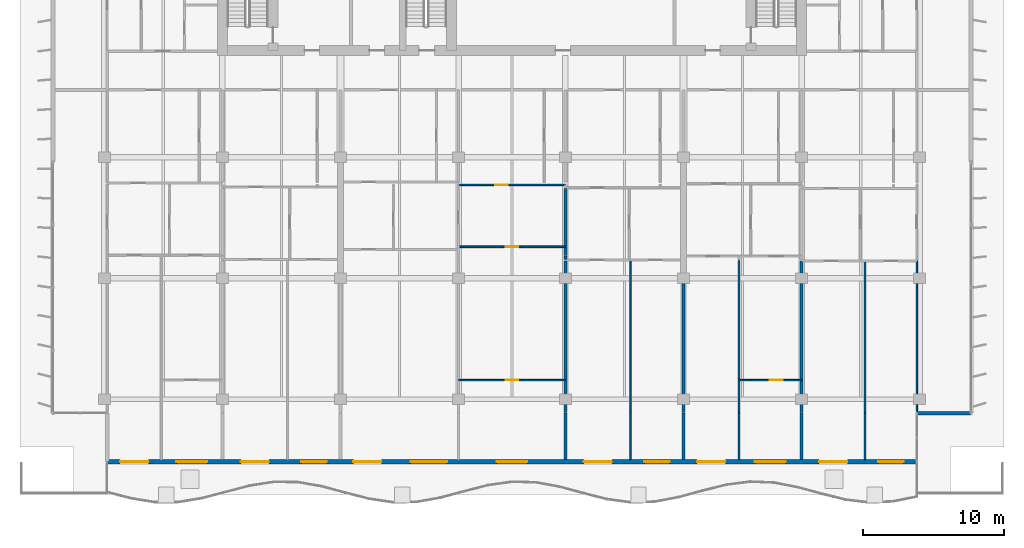
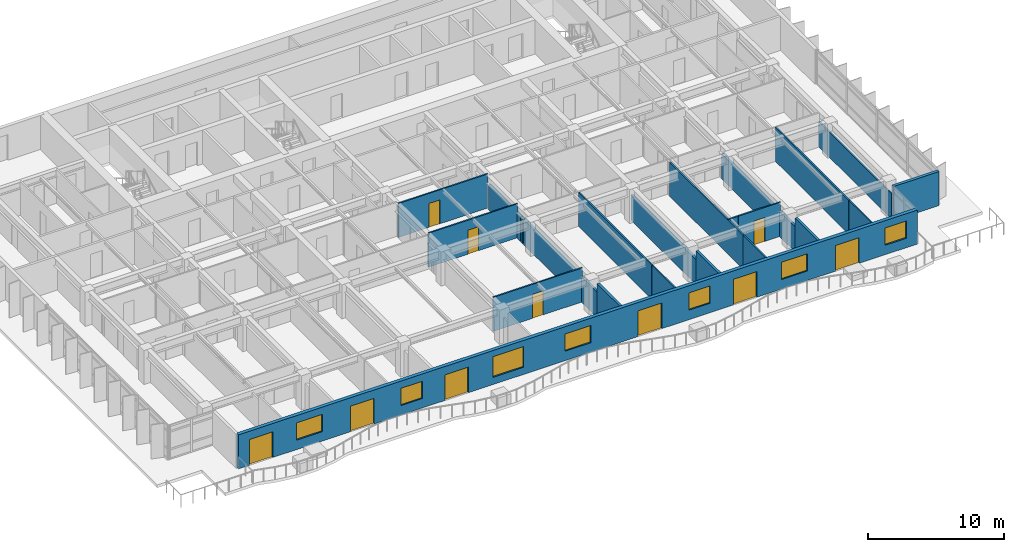
# One storey, part 9 of 17: 22 walls, 10 doors, 7 windows, 17 openings.
"""IFC4 building model written with IfcOpenShell, lengths in metres."""

from ifc_helpers import new_model, si_unit, direction, frame, frame_2d, origin, place, context, subcontext, project, spatial, rectangle, extrude, material, layer, layer_set, type_object, element, fill, save


model = new_model("IFC4")

# Units and contexts
model_context = context("Model", 3, precision=1e-05, world=origin(), true_north=direction((0.0, 1.0)))
body_context = subcontext(model_context, "Body", "Model", "MODEL_VIEW")
ifc_project = project(units=[si_unit("LENGTHUNIT", "METRE"), si_unit("AREAUNIT", "SQUARE_METRE"), si_unit("VOLUMEUNIT", "CUBIC_METRE"), si_unit("PLANEANGLEUNIT", "RADIAN"), si_unit("MASSUNIT", "GRAM", prefix="KILO")], contexts=[model_context])

# Site, building, storey
site_placement = place(None, origin())
site = spatial("IfcSite", under=ifc_project, at=site_placement, CompositionType="ELEMENT")
building_placement = place(site_placement, origin())
building = spatial("IfcBuilding", under=site, at=building_placement, Name="Caelmar Bay Residences", CompositionType="ELEMENT")
storey_placement = place(building_placement, frame((0.0, 0.0, 157.199951171875)))
storey = spatial("IfcBuildingStorey", under=building, at=storey_placement, Name="L43", CompositionType="ELEMENT", Elevation=157.199951171875)

# Wall
ifc_material_1 = material(Name="Precast concrete f'c 40 MPa (6,000 psi)", Category="concrete")
ifc_layer_1 = layer(ifc_material_1, 0.25)
ifc_layer_set_1 = layer_set([ifc_layer_1], Name="Precast concrete f'c 40 MPa (6,000 psi)")
wall_type_1 = type_object("IfcWallType", Name="W-EXT-250", PredefinedType="ELEMENTEDWALL", material=ifc_layer_set_1)
wall_1_placement = place(storey_placement, frame((67.699951171875, 11.199951171875, 0.0), z_axis=(0.0, 0.0, 1.0), x_axis=(1.0, 0.0, 0.0)))
element("IfcWall", 1, at=wall_1_placement, inside=storey, type_object=wall_type_1, Name="L43 SE Notch Return Wall", PredefinedType="ELEMENTEDWALL", context=body_context, shape_type="SweptSolid", body=[
    extrude(rectangle(XDim=3.85009765625, YDim=0.25, at=frame_2d((1.925048828125, 0.0))), origin(), (0.0, 0.0, 1.0), 3.050048828125),
])

# Wall, openings, doors, windows
ifc_layer_2 = layer(ifc_material_1, 0.300048828125)
ifc_layer_set_2 = layer_set([ifc_layer_2], Name="Precast concrete f'c 40 MPa (6,000 psi)")
wall_type_2 = type_object("IfcWallType", Name="W-EXT-300", PredefinedType="STANDARD", material=ifc_layer_set_2)
wall_2_placement = place(storey_placement, frame((67.699951171875, 7.75, 0.0), z_axis=(0.0, 0.0, 1.0), x_axis=(-1.0, 0.0, 0.0)))
wall_2 = element("IfcWall", 2, at=wall_2_placement, inside=storey, type_object=wall_type_2, Name="L43 South Bayfront Exterior Wall", PredefinedType="STANDARD", context=body_context, shape_type="SweptSolid", body=[
    extrude(rectangle(XDim=57.599853515625, YDim=0.300048828125, at=frame_2d((28.7998046875, 0.0))), origin(), (0.0, 0.0, 1.0), 3.050048828125),
])
opening_1_placement = place(wall_2_placement, frame((54.673095703125, 0.0, 0.0)))
opening_1 = element("IfcOpeningElement", 3, at=opening_1_placement, cuts=wall_2, Name="Opening L43-BD01", PredefinedType="OPENING", context=body_context, shape_type="SweptSolid", body=[
    extrude(rectangle(XDim=2.0, YDim=2.300048828125, at=frame_2d((1.0, 1.14990234375))), frame((0.0, 0.159912109375, 0.0), z_axis=(0.0, -1.0, 0.0), x_axis=(1.0, 0.0, 0.0)), (0.0, 0.0, 1.0), 0.320068359375),
])
opening_2_placement = place(wall_2_placement, frame((50.472900390625, 0.0, 0.85009765625)))
opening_2 = element("IfcOpeningElement", 4, at=opening_2_placement, cuts=wall_2, Name="Opening WN2", PredefinedType="OPENING", context=body_context, shape_type="SweptSolid", body=[
    extrude(rectangle(XDim=2.199951171875, YDim=1.550048828125, at=frame_2d((1.10009765625, 0.77490234375))), frame((0.0, 0.159912109375, 0.0), z_axis=(0.0, -1.0, 0.0), x_axis=(1.0, 0.0, 0.0)), (0.0, 0.0, 1.0), 0.320068359375),
])
opening_3_placement = place(wall_2_placement, frame((46.090087890625, 0.0, 0.0)))
opening_3 = element("IfcOpeningElement", 5, at=opening_3_placement, cuts=wall_2, Name="Opening L43-BD02", PredefinedType="OPENING", context=body_context, shape_type="SweptSolid", body=[
    extrude(rectangle(XDim=2.0, YDim=2.300048828125, at=frame_2d((1.0, 1.14990234375))), frame((0.0, 0.159912109375, 0.0), z_axis=(0.0, -1.0, 0.0), x_axis=(1.0, 0.0, 0.0)), (0.0, 0.0, 1.0), 0.320068359375),
])
opening_4_placement = place(wall_2_placement, frame((41.989990234375, 0.0, 0.85009765625)))
opening_4 = element("IfcOpeningElement", 6, at=opening_4_placement, cuts=wall_2, Name="Opening WN1", PredefinedType="OPENING", context=body_context, shape_type="SweptSolid", body=[
    extrude(rectangle(XDim=1.800048828125, YDim=1.550048828125, at=frame_2d((0.89990234375, 0.77490234375))), frame((0.0, 0.159912109375, 0.0), z_axis=(0.0, -1.0, 0.0), x_axis=(1.0, 0.0, 0.0)), (0.0, 0.0, 1.0), 0.320068359375),
])
opening_5_placement = place(wall_2_placement, frame((38.090087890625, 0.0, 0.0)))
opening_5 = element("IfcOpeningElement", 7, at=opening_5_placement, cuts=wall_2, Name="Opening L43-BD03", PredefinedType="OPENING", context=body_context, shape_type="SweptSolid", body=[
    extrude(rectangle(XDim=2.0, YDim=2.300048828125, at=frame_2d((1.0, 1.14990234375))), frame((0.0, 0.159912109375, 0.0), z_axis=(0.0, -1.0, 0.0), x_axis=(1.0, 0.0, 0.0)), (0.0, 0.0, 1.0), 0.320068359375),
])
opening_6_placement = place(wall_2_placement, frame((33.409912109375, 0.0, 0.64990234375)))
opening_6 = element("IfcOpeningElement", 8, at=opening_6_placement, cuts=wall_2, Name="Opening WN3", PredefinedType="OPENING", context=body_context, shape_type="SweptSolid", body=[
    extrude(rectangle(XDim=2.60009765625, YDim=1.85009765625, at=frame_2d((1.300048828125, 0.925048828125))), frame((0.0, 0.159912109375, 0.0), z_axis=(0.0, -1.0, 0.0), x_axis=(1.0, 0.0, 0.0)), (0.0, 0.0, 1.0), 0.320068359375),
])
opening_7_placement = place(wall_2_placement, frame((27.699951171875, 0.0, 0.85009765625)))
opening_7 = element("IfcOpeningElement", 9, at=opening_7_placement, cuts=wall_2, Name="Opening WN2", PredefinedType="OPENING", context=body_context, shape_type="SweptSolid", body=[
    extrude(rectangle(XDim=2.199951171875, YDim=1.550048828125, at=frame_2d((1.10009765625, 0.77490234375))), frame((0.0, 0.159912109375, 0.0), z_axis=(0.0, -1.0, 0.0), x_axis=(1.0, 0.0, 0.0)), (0.0, 0.0, 1.0), 0.320068359375),
])
opening_8_placement = place(wall_2_placement, frame((21.68994140625, 0.0, 0.0)))
opening_8 = element("IfcOpeningElement", 10, at=opening_8_placement, cuts=wall_2, Name="Opening L43-BD04", PredefinedType="OPENING", context=body_context, shape_type="SweptSolid", body=[
    extrude(rectangle(XDim=2.0, YDim=2.300048828125, at=frame_2d((1.0, 1.14990234375))), frame((0.0, 0.159912109375, 0.0), z_axis=(0.0, -1.0, 0.0), x_axis=(1.0, 0.0, 0.0)), (0.0, 0.0, 1.0), 0.320068359375),
])
opening_9_placement = place(wall_2_placement, frame((17.590087890625, 0.0, 0.85009765625)))
opening_9 = element("IfcOpeningElement", 11, at=opening_9_placement, cuts=wall_2, Name="Opening WN1", PredefinedType="OPENING", context=body_context, shape_type="SweptSolid", body=[
    extrude(rectangle(XDim=1.800048828125, YDim=1.550048828125, at=frame_2d((0.89990234375, 0.77490234375))), frame((0.0, 0.159912109375, 0.0), z_axis=(0.0, -1.0, 0.0), x_axis=(1.0, 0.0, 0.0)), (0.0, 0.0, 1.0), 0.320068359375),
])
opening_10_placement = place(wall_2_placement, frame((13.6259765625, 0.0, 0.0)))
opening_10 = element("IfcOpeningElement", 12, at=opening_10_placement, cuts=wall_2, Name="Opening L43-BD05", PredefinedType="OPENING", context=body_context, shape_type="SweptSolid", body=[
    extrude(rectangle(XDim=2.0, YDim=2.300048828125, at=frame_2d((1.0, 1.14990234375))), frame((0.0, 0.159912109375, 0.0), z_axis=(0.0, -1.0, 0.0), x_axis=(1.0, 0.0, 0.0)), (0.0, 0.0, 1.0), 0.320068359375),
])
opening_11_placement = place(wall_2_placement, frame((9.325927734375, 0.0, 0.85009765625)))
opening_11 = element("IfcOpeningElement", 13, at=opening_11_placement, cuts=wall_2, Name="Opening WN2", PredefinedType="OPENING", context=body_context, shape_type="SweptSolid", body=[
    extrude(rectangle(XDim=2.199951171875, YDim=1.550048828125, at=frame_2d((1.10009765625, 0.77490234375))), frame((0.0, 0.159912109375, 0.0), z_axis=(0.0, -1.0, 0.0), x_axis=(1.0, 0.0, 0.0)), (0.0, 0.0, 1.0), 0.320068359375),
])
opening_12_placement = place(wall_2_placement, frame((4.945068359375, 0.0, 0.0)))
opening_12 = element("IfcOpeningElement", 14, at=opening_12_placement, cuts=wall_2, Name="Opening L43-BD06", PredefinedType="OPENING", context=body_context, shape_type="SweptSolid", body=[
    extrude(rectangle(XDim=2.0, YDim=2.300048828125, at=frame_2d((1.0, 1.14990234375))), frame((0.0, 0.159912109375, 0.0), z_axis=(0.0, -1.0, 0.0), x_axis=(1.0, 0.0, 0.0)), (0.0, 0.0, 1.0), 0.320068359375),
])
opening_13_placement = place(wall_2_placement, frame((0.945068359375, 0.0, 0.85009765625)))
opening_13 = element("IfcOpeningElement", 15, at=opening_13_placement, cuts=wall_2, Name="Opening WN1", PredefinedType="OPENING", context=body_context, shape_type="SweptSolid", body=[
    extrude(rectangle(XDim=1.800048828125, YDim=1.550048828125, at=frame_2d((0.89990234375, 0.77490234375))), frame((0.0, 0.159912109375, 0.0), z_axis=(0.0, -1.0, 0.0), x_axis=(1.0, 0.0, 0.0)), (0.0, 0.0, 1.0), 0.320068359375),
])
ifc_material_2 = material(Name="Anodised bronze thermally broken sliding glass door", Category="glass")
ifc_layer_3 = layer(ifc_material_2, 0.050048828125)
ifc_layer_set_3 = layer_set([ifc_layer_3], Name="Anodised bronze thermally broken sliding glass door")
door_type_1 = type_object("IfcDoorType", Name="D-BAL-2000", OperationType="DOUBLE_DOOR_SLIDING", PredefinedType="DOOR", material=ifc_layer_set_3)
door_1_placement = place(opening_1_placement, origin())
door_1 = element("IfcDoor", 16, at=door_1_placement, inside=storey, type_object=door_type_1, Name="L43 Residence 01 Living Room Balcony Door", OperationType="DOUBLE_DOOR_SLIDING", OverallHeight=2.300048828125, OverallWidth=2.0, PredefinedType="DOOR", context=body_context, shape_type="SweptSolid", body=[
    extrude(rectangle(XDim=2.0, YDim=2.300048828125, at=frame_2d((1.0, 1.14990234375))), frame((0.0, 0.02490234375, 0.0), z_axis=(0.0, -1.0, 0.0), x_axis=(1.0, 0.0, 0.0)), (0.0, 0.0, 1.0), 0.050048828125),
])
fill(opening_1, door_1)
door_2_placement = place(opening_3_placement, origin())
door_2 = element("IfcDoor", 17, at=door_2_placement, inside=storey, type_object=door_type_1, Name="L43 Residence 02 Living Room Balcony Door", OperationType="DOUBLE_DOOR_SLIDING", OverallHeight=2.300048828125, OverallWidth=2.0, PredefinedType="DOOR", context=body_context, shape_type="SweptSolid", body=[
    extrude(rectangle(XDim=2.0, YDim=2.300048828125, at=frame_2d((1.0, 1.14990234375))), frame((0.0, 0.02490234375, 0.0), z_axis=(0.0, -1.0, 0.0), x_axis=(1.0, 0.0, 0.0)), (0.0, 0.0, 1.0), 0.050048828125),
])
fill(opening_3, door_2)
door_3_placement = place(opening_5_placement, origin())
door_3 = element("IfcDoor", 18, at=door_3_placement, inside=storey, type_object=door_type_1, Name="L43 Residence 03 Penthouse Living Salon Balcony Door", OperationType="DOUBLE_DOOR_SLIDING", OverallHeight=2.300048828125, OverallWidth=2.0, PredefinedType="DOOR", context=body_context, shape_type="SweptSolid", body=[
    extrude(rectangle(XDim=2.0, YDim=2.300048828125, at=frame_2d((1.0, 1.14990234375))), frame((0.0, 0.02490234375, 0.0), z_axis=(0.0, -1.0, 0.0), x_axis=(1.0, 0.0, 0.0)), (0.0, 0.0, 1.0), 0.050048828125),
])
fill(opening_5, door_3)
door_4_placement = place(opening_8_placement, origin())
door_4 = element("IfcDoor", 19, at=door_4_placement, inside=storey, type_object=door_type_1, Name="L43 Residence 04 Living Room Balcony Door", OperationType="DOUBLE_DOOR_SLIDING", OverallHeight=2.300048828125, OverallWidth=2.0, PredefinedType="DOOR", context=body_context, shape_type="SweptSolid", body=[
    extrude(rectangle(XDim=2.0, YDim=2.300048828125, at=frame_2d((1.0, 1.14990234375))), frame((0.0, 0.02490234375, 0.0), z_axis=(0.0, -1.0, 0.0), x_axis=(1.0, 0.0, 0.0)), (0.0, 0.0, 1.0), 0.050048828125),
])
fill(opening_8, door_4)
door_5_placement = place(opening_10_placement, origin())
door_5 = element("IfcDoor", 20, at=door_5_placement, inside=storey, type_object=door_type_1, Name="L43 Residence 05 Living Room Balcony Door", OperationType="DOUBLE_DOOR_SLIDING", OverallHeight=2.300048828125, OverallWidth=2.0, PredefinedType="DOOR", context=body_context, shape_type="SweptSolid", body=[
    extrude(rectangle(XDim=2.0, YDim=2.300048828125, at=frame_2d((1.0, 1.14990234375))), frame((0.0, 0.02490234375, 0.0), z_axis=(0.0, -1.0, 0.0), x_axis=(1.0, 0.0, 0.0)), (0.0, 0.0, 1.0), 0.050048828125),
])
fill(opening_10, door_5)
door_6_placement = place(opening_12_placement, origin())
door_6 = element("IfcDoor", 21, at=door_6_placement, inside=storey, type_object=door_type_1, Name="L43 Residence 06 Living Room Balcony Door", OperationType="DOUBLE_DOOR_SLIDING", OverallHeight=2.300048828125, OverallWidth=2.0, PredefinedType="DOOR", context=body_context, shape_type="SweptSolid", body=[
    extrude(rectangle(XDim=2.0, YDim=2.300048828125, at=frame_2d((1.0, 1.14990234375))), frame((0.0, 0.02490234375, 0.0), z_axis=(0.0, -1.0, 0.0), x_axis=(1.0, 0.0, 0.0)), (0.0, 0.0, 1.0), 0.050048828125),
])
fill(opening_12, door_6)
ifc_material_3 = material(Name="Bronze aluminium frame with laminated low-E glass", Category="aluminium")
ifc_layer_4 = layer(ifc_material_3, 0.06005859375)
ifc_layer_set_4 = layer_set([ifc_layer_4], Name="Bronze aluminium frame with laminated low-E glass")
window_type_1 = type_object("IfcWindowType", Name="WIN-BR-1800", PartitioningType="SINGLE_PANEL", PredefinedType="WINDOW", material=ifc_layer_set_4)
window_1_placement = place(opening_4_placement, origin())
window_1 = element("IfcWindow", 22, at=window_1_placement, inside=storey, type_object=window_type_1, Name="L43 Residence 02 Primary Bedroom Window", OverallHeight=1.550048828125, OverallWidth=1.800048828125, PartitioningType="SINGLE_PANEL", PredefinedType="WINDOW", context=body_context, shape_type="SweptSolid", body=[
    extrude(rectangle(XDim=1.800048828125, YDim=1.550048828125, at=frame_2d((0.89990234375, 0.77490234375))), frame((0.0, 0.030029296875, 0.0), z_axis=(0.0, -1.0, 0.0), x_axis=(1.0, 0.0, 0.0)), (0.0, 0.0, 1.0), 0.06005859375),
])
fill(opening_4, window_1)
window_2_placement = place(opening_9_placement, origin())
window_2 = element("IfcWindow", 23, at=window_2_placement, inside=storey, type_object=window_type_1, Name="L43 Residence 04 Primary Bedroom Window", OverallHeight=1.550048828125, OverallWidth=1.800048828125, PartitioningType="SINGLE_PANEL", PredefinedType="WINDOW", context=body_context, shape_type="SweptSolid", body=[
    extrude(rectangle(XDim=1.800048828125, YDim=1.550048828125, at=frame_2d((0.89990234375, 0.77490234375))), frame((0.0, 0.030029296875, 0.0), z_axis=(0.0, -1.0, 0.0), x_axis=(1.0, 0.0, 0.0)), (0.0, 0.0, 1.0), 0.06005859375),
])
fill(opening_9, window_2)
window_3_placement = place(opening_13_placement, origin())
window_3 = element("IfcWindow", 24, at=window_3_placement, inside=storey, type_object=window_type_1, Name="L43 Residence 06 Primary Bedroom Window", OverallHeight=1.550048828125, OverallWidth=1.800048828125, PartitioningType="SINGLE_PANEL", PredefinedType="WINDOW", context=body_context, shape_type="SweptSolid", body=[
    extrude(rectangle(XDim=1.800048828125, YDim=1.550048828125, at=frame_2d((0.89990234375, 0.77490234375))), frame((0.0, 0.030029296875, 0.0), z_axis=(0.0, -1.0, 0.0), x_axis=(1.0, 0.0, 0.0)), (0.0, 0.0, 1.0), 0.06005859375),
])
fill(opening_13, window_3)
ifc_layer_5 = layer(ifc_material_3, 0.06005859375)
ifc_layer_set_5 = layer_set([ifc_layer_5], Name="Bronze aluminium frame with laminated low-E glass")
window_type_2 = type_object("IfcWindowType", Name="WIN-BR-2200", PartitioningType="SINGLE_PANEL", PredefinedType="WINDOW", material=ifc_layer_set_5)
window_4_placement = place(opening_2_placement, origin())
window_4 = element("IfcWindow", 25, at=window_4_placement, inside=storey, type_object=window_type_2, Name="L43 Residence 01 Primary Bedroom Window", OverallHeight=1.550048828125, OverallWidth=2.199951171875, PartitioningType="SINGLE_PANEL", PredefinedType="WINDOW", context=body_context, shape_type="SweptSolid", body=[
    extrude(rectangle(XDim=2.199951171875, YDim=1.550048828125, at=frame_2d((1.10009765625, 0.77490234375))), frame((0.0, 0.030029296875, 0.0), z_axis=(0.0, -1.0, 0.0), x_axis=(1.0, 0.0, 0.0)), (0.0, 0.0, 1.0), 0.06005859375),
])
fill(opening_2, window_4)
window_5_placement = place(opening_7_placement, origin())
window_5 = element("IfcWindow", 26, at=window_5_placement, inside=storey, type_object=window_type_2, Name="L43 Residence 03 Primary Bedroom 1 Window", OverallHeight=1.550048828125, OverallWidth=2.199951171875, PartitioningType="SINGLE_PANEL", PredefinedType="WINDOW", context=body_context, shape_type="SweptSolid", body=[
    extrude(rectangle(XDim=2.199951171875, YDim=1.550048828125, at=frame_2d((1.10009765625, 0.77490234375))), frame((0.0, 0.030029296875, 0.0), z_axis=(0.0, -1.0, 0.0), x_axis=(1.0, 0.0, 0.0)), (0.0, 0.0, 1.0), 0.06005859375),
])
fill(opening_7, window_5)
window_6_placement = place(opening_11_placement, origin())
window_6 = element("IfcWindow", 27, at=window_6_placement, inside=storey, type_object=window_type_2, Name="L43 Residence 05 Primary Bedroom Window", OverallHeight=1.550048828125, OverallWidth=2.199951171875, PartitioningType="SINGLE_PANEL", PredefinedType="WINDOW", context=body_context, shape_type="SweptSolid", body=[
    extrude(rectangle(XDim=2.199951171875, YDim=1.550048828125, at=frame_2d((1.10009765625, 0.77490234375))), frame((0.0, 0.030029296875, 0.0), z_axis=(0.0, -1.0, 0.0), x_axis=(1.0, 0.0, 0.0)), (0.0, 0.0, 1.0), 0.06005859375),
])
fill(opening_11, window_6)
ifc_layer_6 = layer(ifc_material_3, 0.06005859375)
ifc_layer_set_6 = layer_set([ifc_layer_6], Name="Bronze aluminium frame with laminated low-E glass")
window_type_3 = type_object("IfcWindowType", Name="WIN-LIV-2600", PartitioningType="SINGLE_PANEL", PredefinedType="WINDOW", material=ifc_layer_set_6)
window_7_placement = place(opening_6_placement, origin())
window_7 = element("IfcWindow", 28, at=window_7_placement, inside=storey, type_object=window_type_3, Name="L43 Residence 03 Penthouse Living Salon Panoramic Window", OverallHeight=1.85009765625, OverallWidth=2.60009765625, PartitioningType="SINGLE_PANEL", PredefinedType="WINDOW", context=body_context, shape_type="SweptSolid", body=[
    extrude(rectangle(XDim=2.60009765625, YDim=1.85009765625, at=frame_2d((1.300048828125, 0.925048828125))), frame((0.0, 0.030029296875, 0.0), z_axis=(0.0, -1.0, 0.0), x_axis=(1.0, 0.0, 0.0)), (0.0, 0.0, 1.0), 0.06005859375),
])
fill(opening_6, window_7)

# Walls
ifc_material_4 = material(Name="Acoustic metal-stud gypsum partition 120 mm")
ifc_layer_7 = layer(ifc_material_4, 0.1201171875)
ifc_layer_set_7 = layer_set([ifc_layer_7], Name="Acoustic metal-stud gypsum partition 120 mm")
wall_type_3 = type_object("IfcWallType", Name="W-PRT-120", PredefinedType="PARTITIONING", material=ifc_layer_set_7)
wall_3_placement = place(storey_placement, frame((47.320068359375, 7.89501953125, 0.0), z_axis=(0.0, 0.0, 1.0), x_axis=(0.0, 1.0, 0.0)))
element("IfcWall", 29, at=wall_3_placement, inside=storey, type_object=wall_type_3, Name="L43 Partition Wall V057", PredefinedType="PARTITIONING", context=body_context, shape_type="SweptSolid", body=[
    extrude(rectangle(XDim=3.304931640625, YDim=0.1201171875, at=frame_2d((1.65234375, 0.0))), origin(), (0.0, 0.0, 1.0), 3.050048828125),
])
wall_4_placement = place(storey_placement, frame((47.320068359375, 11.239990234375, 0.0), z_axis=(0.0, 0.0, 1.0), x_axis=(0.0, 1.0, 0.0)))
element("IfcWall", 30, at=wall_4_placement, inside=storey, type_object=wall_type_3, Name="L43 Partition Wall V058", PredefinedType="PARTITIONING", context=body_context, shape_type="SweptSolid", body=[
    extrude(rectangle(XDim=10.7900390625, YDim=0.1201171875, at=frame_2d((5.39501953125, 0.0))), origin(), (0.0, 0.0, 1.0), 3.050048828125),
])
wall_5_placement = place(storey_placement, frame((55.048095703125, 7.89501953125, 0.0), z_axis=(0.0, 0.0, 1.0), x_axis=(0.0, 1.0, 0.0)))
element("IfcWall", 31, at=wall_5_placement, inside=storey, type_object=wall_type_3, Name="L43 Partition Wall V068", PredefinedType="PARTITIONING", context=body_context, shape_type="SweptSolid", body=[
    extrude(rectangle(XDim=3.304931640625, YDim=0.1201171875, at=frame_2d((1.65234375, 0.0))), origin(), (0.0, 0.0, 1.0), 3.050048828125),
])
wall_6_placement = place(storey_placement, frame((55.048095703125, 11.239990234375, 0.0), z_axis=(0.0, 0.0, 1.0), x_axis=(0.0, 1.0, 0.0)))
element("IfcWall", 32, at=wall_6_placement, inside=storey, type_object=wall_type_3, Name="L43 Partition Wall V069", PredefinedType="PARTITIONING", context=body_context, shape_type="SweptSolid", body=[
    extrude(rectangle(XDim=10.7900390625, YDim=0.1201171875, at=frame_2d((5.39501953125, 0.0))), origin(), (0.0, 0.0, 1.0), 3.050048828125),
])
wall_7_placement = place(storey_placement, frame((64.010009765625, 7.89501953125, 0.0), z_axis=(0.0, 0.0, 1.0), x_axis=(0.0, 1.0, 0.0)))
element("IfcWall", 33, at=wall_7_placement, inside=storey, type_object=wall_type_3, Name="L43 Partition Wall V084", PredefinedType="PARTITIONING", context=body_context, shape_type="SweptSolid", body=[
    extrude(rectangle(XDim=3.304931640625, YDim=0.1201171875, at=frame_2d((1.65234375, 0.0))), origin(), (0.0, 0.0, 1.0), 3.050048828125),
])
wall_8_placement = place(storey_placement, frame((64.010009765625, 11.239990234375, 0.0), z_axis=(0.0, 0.0, 1.0), x_axis=(0.0, 1.0, 0.0)))
element("IfcWall", 34, at=wall_8_placement, inside=storey, type_object=wall_type_3, Name="L43 Partition Wall V085", PredefinedType="PARTITIONING", context=body_context, shape_type="SweptSolid", body=[
    extrude(rectangle(XDim=10.7900390625, YDim=0.1201171875, at=frame_2d((5.39501953125, 0.0))), origin(), (0.0, 0.0, 1.0), 3.050048828125),
])
wall_9_placement = place(storey_placement, frame((67.699951171875, 11.320068359375, 0.0), z_axis=(0.0, 0.0, 1.0), x_axis=(0.0, 1.0, 0.0)))
element("IfcWall", 35, at=wall_9_placement, inside=storey, type_object=wall_type_3, Name="L43 Partition Wall V089", PredefinedType="PARTITIONING", context=body_context, shape_type="SweptSolid", body=[
    extrude(rectangle(XDim=10.7099609375, YDim=0.1201171875, at=frame_2d((5.35498046875, 0.0))), origin(), (0.0, 0.0, 1.0), 2.262939453125),
])

# Wall, opening, door
wall_10_placement = place(storey_placement, frame((35.10009765625, 13.550048828125, 0.0), z_axis=(0.0, 0.0, 1.0), x_axis=(1.0, 0.0, 0.0)))
wall_10 = element("IfcWall", 36, at=wall_10_placement, inside=storey, type_object=wall_type_3, Name="L43 Partition Wall H098", PredefinedType="PARTITIONING", context=body_context, shape_type="SweptSolid", body=[
    extrude(rectangle(XDim=7.599853515625, YDim=0.1201171875, at=frame_2d((3.7998046875, 0.0))), origin(), (0.0, 0.0, 1.0), 3.050048828125),
])
opening_14_placement = place(wall_10_placement, frame((3.35009765625, 0.0, 0.0)))
opening_14 = element("IfcOpeningElement", 37, at=opening_14_placement, cuts=wall_10, Name="Opening D-L43-141", PredefinedType="OPENING", context=body_context, shape_type="SweptSolid", body=[
    extrude(rectangle(XDim=0.89990234375, YDim=2.14990234375, at=frame_2d((0.449951171875, 1.074951171875))), frame((0.0, 0.070068359375, 0.0), z_axis=(0.0, -1.0, 0.0), x_axis=(1.0, 0.0, 0.0)), (0.0, 0.0, 1.0), 0.14013671875),
])
ifc_material_5 = material(Name="Solid walnut timber interior door leaf and frame", Category="wood")
ifc_layer_8 = layer(ifc_material_5, 0.050048828125)
ifc_layer_set_8 = layer_set([ifc_layer_8], Name="Solid walnut timber interior door leaf and frame")
door_type_2 = type_object("IfcDoorType", Name="D-ROOM-900", OperationType="NOTDEFINED", PredefinedType="DOOR", material=ifc_layer_set_8)
door_7_placement = place(opening_14_placement, origin())
door_7 = element("IfcDoor", 38, at=door_7_placement, inside=storey, type_object=door_type_2, Name="L43 Residence 03 Primary Bedroom 1 Door", OperationType="SINGLE_SWING_RIGHT", OverallHeight=2.14990234375, OverallWidth=0.89990234375, PredefinedType="DOOR", context=body_context, shape_type="SweptSolid", body=[
    extrude(rectangle(XDim=0.89990234375, YDim=2.14990234375, at=frame_2d((0.449951171875, 1.074951171875))), frame((0.0, 0.02490234375, 0.0), z_axis=(0.0, -1.0, 0.0), x_axis=(1.0, 0.0, 0.0)), (0.0, 0.0, 1.0), 0.050048828125),
])
fill(opening_14, door_7)

# Wall
wall_11_placement = place(storey_placement, frame((55.048095703125, 13.550048828125, 0.0), z_axis=(0.0, 0.0, 1.0), x_axis=(1.0, 0.0, 0.0)))
element("IfcWall", 39, at=wall_11_placement, inside=storey, type_object=wall_type_3, Name="L43 Partition Wall H099", PredefinedType="PARTITIONING", context=body_context, shape_type="SweptSolid", body=[
    extrude(rectangle(XDim=0.837890625, YDim=0.1201171875, at=frame_2d((0.4189453125, 0.0))), origin(), (0.0, 0.0, 1.0), 3.050048828125),
])

# Wall, opening, door
wall_12_placement = place(storey_placement, frame((55.89990234375, 13.550048828125, 0.0), z_axis=(0.0, 0.0, 1.0), x_axis=(1.0, 0.0, 0.0)))
wall_12 = element("IfcWall", 40, at=wall_12_placement, inside=storey, type_object=wall_type_3, Name="L43 Partition Wall H100", PredefinedType="PARTITIONING", context=body_context, shape_type="SweptSolid", body=[
    extrude(rectangle(XDim=3.60009765625, YDim=0.1201171875, at=frame_2d((1.800048828125, 0.0))), origin(), (0.0, 0.0, 1.0), 3.050048828125),
])
opening_15_placement = place(wall_12_placement, frame((1.35009765625, 0.0, 0.0)))
opening_15 = element("IfcOpeningElement", 41, at=opening_15_placement, cuts=wall_12, Name="Opening D-L43-154", PredefinedType="OPENING", context=body_context, shape_type="SweptSolid", body=[
    extrude(rectangle(XDim=0.89990234375, YDim=2.14990234375, at=frame_2d((0.449951171875, 1.074951171875))), frame((0.0, 0.070068359375, 0.0), z_axis=(0.0, -1.0, 0.0), x_axis=(1.0, 0.0, 0.0)), (0.0, 0.0, 1.0), 0.14013671875),
])
door_8_placement = place(opening_15_placement, origin())
door_8 = element("IfcDoor", 42, at=door_8_placement, inside=storey, type_object=door_type_2, Name="L43 Residence 05 Primary Bedroom Door", OperationType="SINGLE_SWING_LEFT", OverallHeight=2.14990234375, OverallWidth=0.89990234375, PredefinedType="DOOR", context=body_context, shape_type="SweptSolid", body=[
    extrude(rectangle(XDim=0.89990234375, YDim=2.14990234375, at=frame_2d((0.449951171875, 1.074951171875))), frame((0.0, 0.02490234375, 0.0), z_axis=(0.0, -1.0, 0.0), x_axis=(1.0, 0.0, 0.0)), (0.0, 0.0, 1.0), 0.050048828125),
])
fill(opening_15, door_8)

wall_13_placement = place(storey_placement, frame((35.10498046875, 23.0400390625, 0.0), z_axis=(0.0, 0.0, 1.0), x_axis=(1.0, 0.0, 0.0)))
wall_13 = element("IfcWall", 43, at=wall_13_placement, inside=storey, type_object=wall_type_3, Name="L43 Partition Wall H108", PredefinedType="PARTITIONING", context=body_context, shape_type="SweptSolid", body=[
    extrude(rectangle(XDim=7.594970703125, YDim=0.1201171875, at=frame_2d((3.79736328125, 0.0))), origin(), (0.0, 0.0, 1.0), 3.050048828125),
])
opening_16_placement = place(wall_13_placement, frame((3.347412109375, 0.0, 0.0)))
opening_16 = element("IfcOpeningElement", 44, at=opening_16_placement, cuts=wall_13, Name="Opening D-L43-140", PredefinedType="OPENING", context=body_context, shape_type="SweptSolid", body=[
    extrude(rectangle(XDim=0.89990234375, YDim=2.14990234375, at=frame_2d((0.449951171875, 1.074951171875))), frame((0.0, 0.070068359375, 0.0), z_axis=(0.0, -1.0, 0.0), x_axis=(1.0, 0.0, 0.0)), (0.0, 0.0, 1.0), 0.14013671875),
])
door_9_placement = place(opening_16_placement, origin())
door_9 = element("IfcDoor", 45, at=door_9_placement, inside=storey, type_object=door_type_2, Name="L43 Residence 03 Penthouse Sitting Salon 1 Door", OperationType="SINGLE_SWING_LEFT", OverallHeight=2.14990234375, OverallWidth=0.89990234375, PredefinedType="DOOR", context=body_context, shape_type="SweptSolid", body=[
    extrude(rectangle(XDim=0.89990234375, YDim=2.14990234375, at=frame_2d((0.449951171875, 1.074951171875))), frame((0.0, 0.02490234375, 0.0), z_axis=(0.0, -1.0, 0.0), x_axis=(1.0, 0.0, 0.0)), (0.0, 0.0, 1.0), 0.050048828125),
])
fill(opening_16, door_9)

wall_14_placement = place(storey_placement, frame((35.10009765625, 27.43994140625, 0.0), z_axis=(0.0, 0.0, 1.0), x_axis=(1.0, 0.0, 0.0)))
wall_14 = element("IfcWall", 46, at=wall_14_placement, inside=storey, type_object=wall_type_3, Name="L43 Partition Wall H112", PredefinedType="PARTITIONING", context=body_context, shape_type="SweptSolid", body=[
    extrude(rectangle(XDim=7.599853515625, YDim=0.1201171875, at=frame_2d((3.7998046875, 0.0))), origin(), (0.0, 0.0, 1.0), 3.050048828125),
])
opening_17_placement = place(wall_14_placement, frame((2.60009765625, 0.0, 0.0)))
opening_17 = element("IfcOpeningElement", 47, at=opening_17_placement, cuts=wall_14, Name="Opening D-L43-138", PredefinedType="OPENING", context=body_context, shape_type="SweptSolid", body=[
    extrude(rectangle(XDim=0.89990234375, YDim=2.14990234375, at=frame_2d((0.449951171875, 1.074951171875))), frame((0.0, 0.070068359375, 0.0), z_axis=(0.0, -1.0, 0.0), x_axis=(1.0, 0.0, 0.0)), (0.0, 0.0, 1.0), 0.14013671875),
])
door_10_placement = place(opening_17_placement, origin())
door_10 = element("IfcDoor", 48, at=door_10_placement, inside=storey, type_object=door_type_2, Name="L43 Residence 03 Sitting Room 1 Door", OperationType="SINGLE_SWING_LEFT", OverallHeight=2.14990234375, OverallWidth=0.89990234375, PredefinedType="DOOR", context=body_context, shape_type="SweptSolid", body=[
    extrude(rectangle(XDim=0.89990234375, YDim=2.14990234375, at=frame_2d((0.449951171875, 1.074951171875))), frame((0.0, 0.02490234375, 0.0), z_axis=(0.0, -1.0, 0.0), x_axis=(1.0, 0.0, 0.0)), (0.0, 0.0, 1.0), 0.050048828125),
])
fill(opening_17, door_10)

# Walls
ifc_material_6 = material(Name="Acoustic twin-stud fire-rated inter-tenancy partition 200 mm")
ifc_layer_9 = layer(ifc_material_6, 0.199951171875)
ifc_layer_set_9 = layer_set([ifc_layer_9], Name="Acoustic twin-stud fire-rated inter-tenancy partition 200 mm")
wall_type_4 = type_object("IfcWallType", Name="W-PTY-200", PredefinedType="PARTITIONING", material=ifc_layer_set_9)
wall_15_placement = place(storey_placement, frame((42.699951171875, 7.89501953125, 0.0), z_axis=(0.0, 0.0, 1.0), x_axis=(0.0, 1.0, 0.0)))
element("IfcWall", 49, at=wall_15_placement, inside=storey, type_object=wall_type_4, Name="L43 Partition Wall V047", PredefinedType="PARTITIONING", context=body_context, shape_type="SweptSolid", body=[
    extrude(rectangle(XDim=3.304931640625, YDim=0.199951171875, at=frame_2d((1.65234375, 0.0))), origin(), (0.0, 0.0, 1.0), 3.050048828125),
])
wall_16_placement = place(storey_placement, frame((42.699951171875, 11.239990234375, 0.0), z_axis=(0.0, 0.0, 1.0), x_axis=(0.0, 1.0, 0.0)))
element("IfcWall", 50, at=wall_16_placement, inside=storey, type_object=wall_type_4, Name="L43 Partition Wall V048", PredefinedType="PARTITIONING", context=body_context, shape_type="SweptSolid", body=[
    extrude(rectangle(XDim=10.7900390625, YDim=0.199951171875, at=frame_2d((5.39501953125, 0.0))), origin(), (0.0, 0.0, 1.0), 2.262939453125),
])
wall_17_placement = place(storey_placement, frame((42.699951171875, 22.1298828125, 0.0), z_axis=(0.0, 0.0, 1.0), x_axis=(0.0, 1.0, 0.0)))
element("IfcWall", 51, at=wall_17_placement, inside=storey, type_object=wall_type_4, Name="L43 Partition Wall V049", PredefinedType="PARTITIONING", context=body_context, shape_type="SweptSolid", body=[
    extrude(rectangle(XDim=0.240234375, YDim=0.199951171875, at=frame_2d((0.1201171875, 0.0))), origin(), (0.0, 0.0, 1.0), 2.262939453125),
])
wall_18_placement = place(storey_placement, frame((42.699951171875, 22.429931640625, 0.0), z_axis=(0.0, 0.0, 1.0), x_axis=(0.0, 1.0, 0.0)))
element("IfcWall", 52, at=wall_18_placement, inside=storey, type_object=wall_type_4, Name="L43 Partition Wall V050", PredefinedType="PARTITIONING", context=body_context, shape_type="SweptSolid", body=[
    extrude(rectangle(XDim=4.75, YDim=0.199951171875, at=frame_2d((2.375, 0.0))), origin(), (0.0, 0.0, 1.0), 2.262939453125),
])
wall_19_placement = place(storey_placement, frame((51.10009765625, 7.89501953125, 0.0), z_axis=(0.0, 0.0, 1.0), x_axis=(0.0, 1.0, 0.0)))
element("IfcWall", 53, at=wall_19_placement, inside=storey, type_object=wall_type_4, Name="L43 Partition Wall V064", PredefinedType="PARTITIONING", context=body_context, shape_type="SweptSolid", body=[
    extrude(rectangle(XDim=3.304931640625, YDim=0.199951171875, at=frame_2d((1.65234375, 0.0))), origin(), (0.0, 0.0, 1.0), 3.050048828125),
])
wall_20_placement = place(storey_placement, frame((51.10009765625, 11.239990234375, 0.0), z_axis=(0.0, 0.0, 1.0), x_axis=(0.0, 1.0, 0.0)))
element("IfcWall", 54, at=wall_20_placement, inside=storey, type_object=wall_type_4, Name="L43 Partition Wall V065", PredefinedType="PARTITIONING", context=body_context, shape_type="SweptSolid", body=[
    extrude(rectangle(XDim=9.554931640625, YDim=0.199951171875, at=frame_2d((4.77734375, 0.0))), origin(), (0.0, 0.0, 1.0), 2.262939453125),
])
wall_21_placement = place(storey_placement, frame((59.5, 7.89501953125, 0.0), z_axis=(0.0, 0.0, 1.0), x_axis=(0.0, 1.0, 0.0)))
element("IfcWall", 55, at=wall_21_placement, inside=storey, type_object=wall_type_4, Name="L43 Partition Wall V075", PredefinedType="PARTITIONING", context=body_context, shape_type="SweptSolid", body=[
    extrude(rectangle(XDim=3.304931640625, YDim=0.199951171875, at=frame_2d((1.65234375, 0.0))), origin(), (0.0, 0.0, 1.0), 3.050048828125),
])
wall_22_placement = place(storey_placement, frame((59.5, 11.239990234375, 0.0), z_axis=(0.0, 0.0, 1.0), x_axis=(0.0, 1.0, 0.0)))
element("IfcWall", 56, at=wall_22_placement, inside=storey, type_object=wall_type_4, Name="L43 Partition Wall V076", PredefinedType="PARTITIONING", context=body_context, shape_type="SweptSolid", body=[
    extrude(rectangle(XDim=10.7900390625, YDim=0.199951171875, at=frame_2d((5.39501953125, 0.0))), origin(), (0.0, 0.0, 1.0), 2.262939453125),
])

save(model, "model.ifc")
